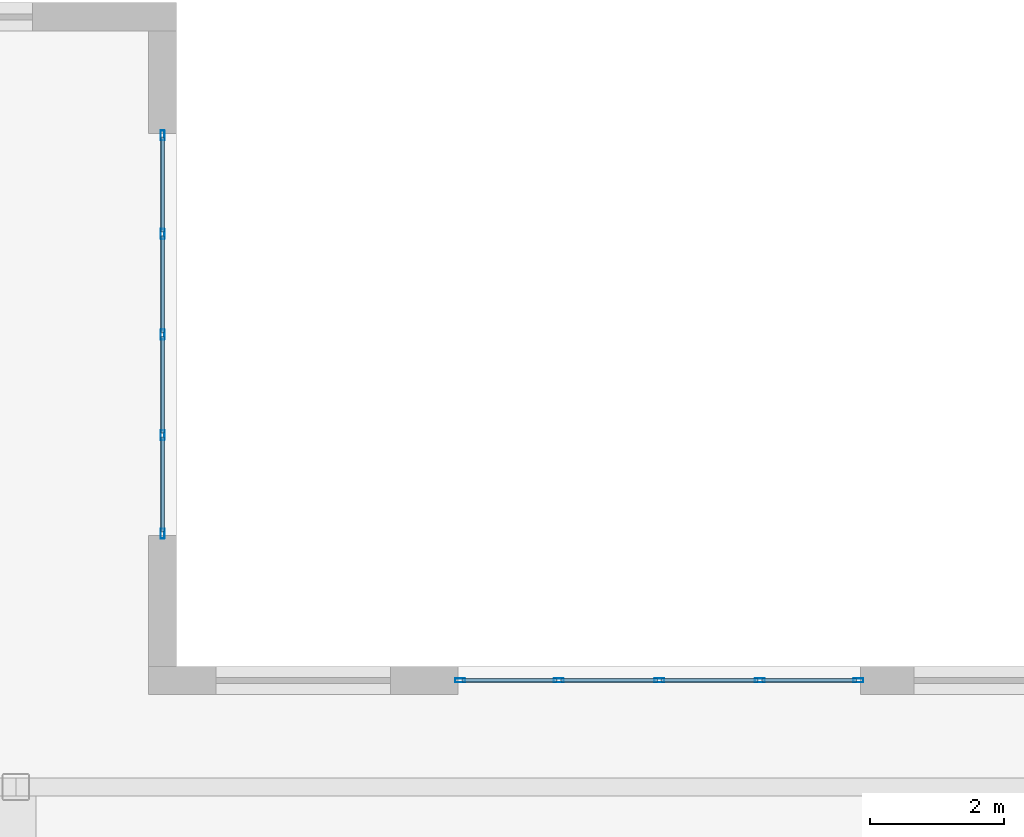
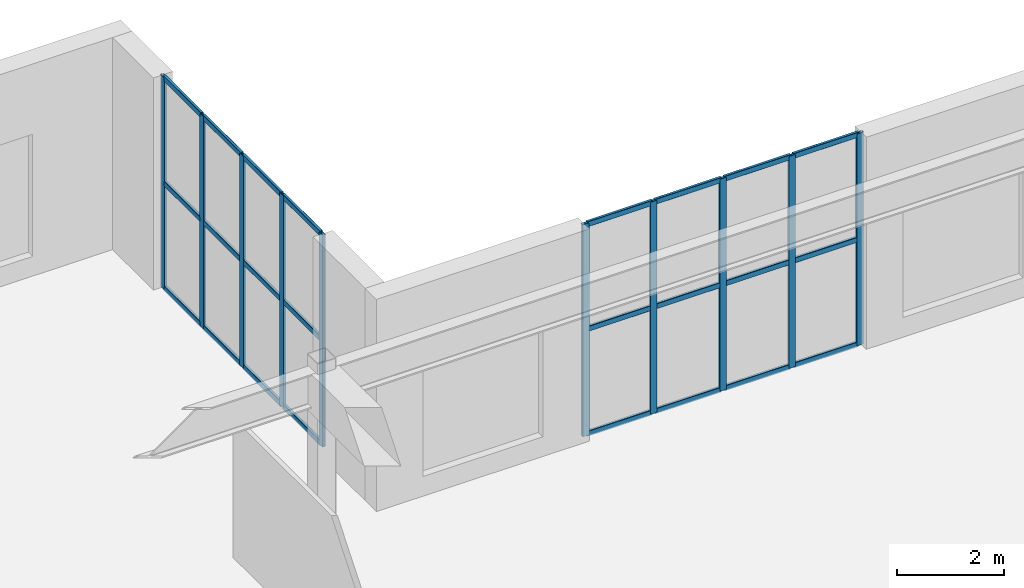
# One storey, part 14 of 23: 34 members, 2 elements without a shape of their own.
"""IFC4 building model written with IfcOpenShell, lengths in metres."""

from ifc_helpers import new_model, entity, si_unit, converted_unit, direction, frame, origin_with_axes, origin_2d_with_axis, place, context, subcontext, project, spatial, hollow_rectangle, extrude, material, material_profile, profile_set, type_object, element, aggregate, save


model = new_model("IFC4")

# Units and contexts
model_context = context("Model", 3, precision=1e-05, world=origin_with_axes(), true_north=direction((0.0, 1.0)))
body_context = subcontext(model_context, "Body", "Model", "MODEL_VIEW")
ifc_project = project(units=[si_unit("LENGTHUNIT", "METRE"), si_unit("AREAUNIT", "SQUARE_METRE"), si_unit("VOLUMEUNIT", "CUBIC_METRE"), converted_unit("PLANEANGLEUNIT", "DEGREE", entity("IfcPlaneAngleMeasure", 0.017453292519943295), si_unit("PLANEANGLEUNIT", "RADIAN"), dimensions=[0, 0, 0, 0, 0, 0, 0]), si_unit("MASSUNIT", "GRAM", prefix="KILO"), si_unit("THERMODYNAMICTEMPERATUREUNIT", "KELVIN")], contexts=[model_context])

# Site, building, storey
site_placement = place(None, origin_with_axes())
site = spatial("IfcSite", under=ifc_project, at=site_placement, CompositionType="ELEMENT")
building_placement = place(site_placement, origin_with_axes())
building = spatial("IfcBuilding", under=site, at=building_placement, Name="Varnlund Millrace Tower", CompositionType="ELEMENT")
storey_placement = place(building_placement, frame((0.0, 0.0, 5.7), z_axis=(0.0, 0.0, 1.0), x_axis=(1.0, 0.0, 0.0)))
storey = spatial("IfcBuildingStorey", under=building, at=storey_placement, Name="L01", CompositionType="ELEMENT", Elevation=5.7)

# Curtain wall, members
ifc_material_1 = material(Name="Thermally broken architectural bronze curtain wall", Category="aluminium")
curtain_wall_type = type_object("IfcCurtainWallType", Name="Type-CW-Sys2-Skyway", PredefinedType="NOTDEFINED", material=ifc_material_1)
curtain_wall_1_placement = place(storey_placement, frame((58.2, 39.39, 0.0), z_axis=(0.0, 0.0, 1.0), x_axis=(1.0, 0.0, 0.0)))
curtain_wall_1 = element("IfcCurtainWall", 1, at=curtain_wall_1_placement, inside=storey, type_object=curtain_wall_type, Name="Type-CW-Sys2-Skyway", PredefinedType="NOTDEFINED")
ifc_material_2 = material(Name="Architectural bronze aluminium alloy 6063-T6", Category="aluminium")
ifc_material_profile_1 = material_profile(ifc_material_2, hollow_rectangle(XDim=0.06, YDim=0.15, WallThickness=0.004, InnerFilletRadius=0.004, OuterFilletRadius=0.008, at=origin_2d_with_axis()), Name="Architectural bronze aluminium alloy 6063-T6")
ifc_profile_set_1 = profile_set([ifc_material_profile_1], Name="Architectural bronze aluminium alloy 6063-T6")
member_type_1 = type_object("IfcMemberType", Name="Type-CW-Mullion-60X150", PredefinedType="MULLION", material=ifc_profile_set_1)
member_1_placement = place(storey_placement, frame((58.23, 39.39, 0.0), z_axis=(0.0, 0.0, 1.0), x_axis=(0.0, 1.0, 0.0)))
member_1 = element("IfcMember", 2, at=member_1_placement, type_object=member_type_1, Name="CW-02 mullion 1", PredefinedType="MULLION", context=body_context, shape_type="SweptSolid", body=[
    extrude(hollow_rectangle(XDim=0.06, YDim=0.15, WallThickness=0.004, InnerFilletRadius=0.004, OuterFilletRadius=0.008, at=origin_2d_with_axis()), origin_with_axes(), (0.0, 0.0, 1.0), 4.86),
])
member_2_placement = place(storey_placement, frame((59.7, 39.39, 0.0), z_axis=(0.0, 0.0, 1.0), x_axis=(0.0, 1.0, 0.0)))
member_2 = element("IfcMember", 3, at=member_2_placement, type_object=member_type_1, Name="CW-02 mullion 2", PredefinedType="MULLION", context=body_context, shape_type="SweptSolid", body=[
    extrude(hollow_rectangle(XDim=0.06, YDim=0.15, WallThickness=0.004, InnerFilletRadius=0.004, OuterFilletRadius=0.008, at=origin_2d_with_axis()), origin_with_axes(), (0.0, 0.0, 1.0), 4.86),
])
member_3_placement = place(storey_placement, frame((61.2, 39.39, 0.0), z_axis=(0.0, 0.0, 1.0), x_axis=(0.0, 1.0, 0.0)))
member_3 = element("IfcMember", 4, at=member_3_placement, type_object=member_type_1, Name="CW-02 mullion 3", PredefinedType="MULLION", context=body_context, shape_type="SweptSolid", body=[
    extrude(hollow_rectangle(XDim=0.06, YDim=0.15, WallThickness=0.004, InnerFilletRadius=0.004, OuterFilletRadius=0.008, at=origin_2d_with_axis()), origin_with_axes(), (0.0, 0.0, 1.0), 4.86),
])
member_4_placement = place(storey_placement, frame((62.7, 39.39, 0.0), z_axis=(0.0, 0.0, 1.0), x_axis=(0.0, 1.0, 0.0)))
member_4 = element("IfcMember", 5, at=member_4_placement, type_object=member_type_1, Name="CW-02 mullion 4", PredefinedType="MULLION", context=body_context, shape_type="SweptSolid", body=[
    extrude(hollow_rectangle(XDim=0.06, YDim=0.15, WallThickness=0.004, InnerFilletRadius=0.004, OuterFilletRadius=0.008, at=origin_2d_with_axis()), origin_with_axes(), (0.0, 0.0, 1.0), 4.86),
])
member_5_placement = place(storey_placement, frame((64.17, 39.39, 0.0), z_axis=(0.0, 0.0, 1.0), x_axis=(0.0, 1.0, 0.0)))
member_5 = element("IfcMember", 6, at=member_5_placement, type_object=member_type_1, Name="CW-02 mullion 5", PredefinedType="MULLION", context=body_context, shape_type="SweptSolid", body=[
    extrude(hollow_rectangle(XDim=0.06, YDim=0.15, WallThickness=0.004, InnerFilletRadius=0.004, OuterFilletRadius=0.008, at=origin_2d_with_axis()), origin_with_axes(), (0.0, 0.0, 1.0), 4.86),
])

curtain_wall_2_placement = place(storey_placement, frame((53.79, 47.55, 0.0), z_axis=(0.0, 0.0, 1.0), x_axis=(1.0, 0.0, 0.0)))
curtain_wall_2 = element("IfcCurtainWall", 7, at=curtain_wall_2_placement, inside=storey, type_object=curtain_wall_type, Name="Type-CW-Sys2-Skyway", PredefinedType="NOTDEFINED")
member_6_placement = place(storey_placement, frame((53.79, 47.52, 0.0), z_axis=(0.0, 0.0, 1.0), x_axis=(1.0, 0.0, 0.0)))
member_6 = element("IfcMember", 8, at=member_6_placement, type_object=member_type_1, Name="CW-02 mullion 1", PredefinedType="MULLION", context=body_context, shape_type="SweptSolid", body=[
    extrude(hollow_rectangle(XDim=0.06, YDim=0.15, WallThickness=0.004, InnerFilletRadius=0.004, OuterFilletRadius=0.008, at=origin_2d_with_axis()), origin_with_axes(), (0.0, 0.0, 1.0), 4.86),
])
member_7_placement = place(storey_placement, frame((53.79, 46.05, 0.0), z_axis=(0.0, 0.0, 1.0), x_axis=(1.0, 0.0, 0.0)))
member_7 = element("IfcMember", 9, at=member_7_placement, type_object=member_type_1, Name="CW-02 mullion 2", PredefinedType="MULLION", context=body_context, shape_type="SweptSolid", body=[
    extrude(hollow_rectangle(XDim=0.06, YDim=0.15, WallThickness=0.004, InnerFilletRadius=0.004, OuterFilletRadius=0.008, at=origin_2d_with_axis()), origin_with_axes(), (0.0, 0.0, 1.0), 4.86),
])
member_8_placement = place(storey_placement, frame((53.79, 44.55, 0.0), z_axis=(0.0, 0.0, 1.0), x_axis=(1.0, 0.0, 0.0)))
member_8 = element("IfcMember", 10, at=member_8_placement, type_object=member_type_1, Name="CW-02 mullion 3", PredefinedType="MULLION", context=body_context, shape_type="SweptSolid", body=[
    extrude(hollow_rectangle(XDim=0.06, YDim=0.15, WallThickness=0.004, InnerFilletRadius=0.004, OuterFilletRadius=0.008, at=origin_2d_with_axis()), origin_with_axes(), (0.0, 0.0, 1.0), 4.86),
])
member_9_placement = place(storey_placement, frame((53.79, 43.05, 0.0), z_axis=(0.0, 0.0, 1.0), x_axis=(1.0, 0.0, 0.0)))
member_9 = element("IfcMember", 11, at=member_9_placement, type_object=member_type_1, Name="CW-02 mullion 4", PredefinedType="MULLION", context=body_context, shape_type="SweptSolid", body=[
    extrude(hollow_rectangle(XDim=0.06, YDim=0.15, WallThickness=0.004, InnerFilletRadius=0.004, OuterFilletRadius=0.008, at=origin_2d_with_axis()), origin_with_axes(), (0.0, 0.0, 1.0), 4.86),
])
member_10_placement = place(storey_placement, frame((53.79, 41.58, 0.0), z_axis=(0.0, 0.0, 1.0), x_axis=(1.0, 0.0, 0.0)))
member_10 = element("IfcMember", 12, at=member_10_placement, type_object=member_type_1, Name="CW-02 mullion 5", PredefinedType="MULLION", context=body_context, shape_type="SweptSolid", body=[
    extrude(hollow_rectangle(XDim=0.06, YDim=0.15, WallThickness=0.004, InnerFilletRadius=0.004, OuterFilletRadius=0.008, at=origin_2d_with_axis()), origin_with_axes(), (0.0, 0.0, 1.0), 4.86),
])

# Member
ifc_material_profile_2 = material_profile(ifc_material_2, hollow_rectangle(XDim=0.06, YDim=0.12, WallThickness=0.004, InnerFilletRadius=0.004, OuterFilletRadius=0.008, at=origin_2d_with_axis()), Name="Architectural bronze aluminium alloy 6063-T6")
ifc_profile_set_2 = profile_set([ifc_material_profile_2], Name="Architectural bronze aluminium alloy 6063-T6")
member_type_2 = type_object("IfcMemberType", Name="Type-CW-Transom-60X120", PredefinedType="USERDEFINED", material=ifc_profile_set_2)
member_11_placement = place(storey_placement, frame((58.26, 39.39, 0.03), z_axis=(1.0, 0.0, 0.0), x_axis=(0.0, 1.0, 0.0)))
member_11 = element("IfcMember", 13, at=member_11_placement, type_object=member_type_2, Name="CW-02 transom 1.1", ObjectType="TRANSOM", PredefinedType="USERDEFINED", context=body_context, shape_type="SweptSolid", body=[
    extrude(hollow_rectangle(XDim=0.06, YDim=0.12, WallThickness=0.004, InnerFilletRadius=0.004, OuterFilletRadius=0.008, at=origin_2d_with_axis()), origin_with_axes(), (0.0, 0.0, 1.0), 1.41),
])

member_12_placement = place(storey_placement, frame((58.26, 39.39, 2.43), z_axis=(1.0, 0.0, 0.0), x_axis=(0.0, 1.0, 0.0)))
member_12 = element("IfcMember", 14, at=member_12_placement, type_object=member_type_2, Name="CW-02 transom 1.2", ObjectType="TRANSOM", PredefinedType="USERDEFINED", context=body_context, shape_type="SweptSolid", body=[
    extrude(hollow_rectangle(XDim=0.06, YDim=0.12, WallThickness=0.004, InnerFilletRadius=0.004, OuterFilletRadius=0.008, at=origin_2d_with_axis()), origin_with_axes(), (0.0, 0.0, 1.0), 1.41),
])

member_13_placement = place(storey_placement, frame((58.26, 39.39, 4.83), z_axis=(1.0, 0.0, 0.0), x_axis=(0.0, 1.0, 0.0)))
member_13 = element("IfcMember", 15, at=member_13_placement, type_object=member_type_2, Name="CW-02 transom 1.3", ObjectType="TRANSOM", PredefinedType="USERDEFINED", context=body_context, shape_type="SweptSolid", body=[
    extrude(hollow_rectangle(XDim=0.06, YDim=0.12, WallThickness=0.004, InnerFilletRadius=0.004, OuterFilletRadius=0.008, at=origin_2d_with_axis()), origin_with_axes(), (0.0, 0.0, 1.0), 1.41),
])

member_14_placement = place(storey_placement, frame((59.73, 39.39, 0.03), z_axis=(1.0, 0.0, 0.0), x_axis=(0.0, 1.0, 0.0)))
member_14 = element("IfcMember", 16, at=member_14_placement, type_object=member_type_2, Name="CW-02 transom 2.1", ObjectType="TRANSOM", PredefinedType="USERDEFINED", context=body_context, shape_type="SweptSolid", body=[
    extrude(hollow_rectangle(XDim=0.06, YDim=0.12, WallThickness=0.004, InnerFilletRadius=0.004, OuterFilletRadius=0.008, at=origin_2d_with_axis()), origin_with_axes(), (0.0, 0.0, 1.0), 1.44),
])

member_15_placement = place(storey_placement, frame((59.73, 39.39, 2.43), z_axis=(1.0, 0.0, 0.0), x_axis=(0.0, 1.0, 0.0)))
member_15 = element("IfcMember", 17, at=member_15_placement, type_object=member_type_2, Name="CW-02 transom 2.2", ObjectType="TRANSOM", PredefinedType="USERDEFINED", context=body_context, shape_type="SweptSolid", body=[
    extrude(hollow_rectangle(XDim=0.06, YDim=0.12, WallThickness=0.004, InnerFilletRadius=0.004, OuterFilletRadius=0.008, at=origin_2d_with_axis()), origin_with_axes(), (0.0, 0.0, 1.0), 1.44),
])

member_16_placement = place(storey_placement, frame((59.73, 39.39, 4.83), z_axis=(1.0, 0.0, 0.0), x_axis=(0.0, 1.0, 0.0)))
member_16 = element("IfcMember", 18, at=member_16_placement, type_object=member_type_2, Name="CW-02 transom 2.3", ObjectType="TRANSOM", PredefinedType="USERDEFINED", context=body_context, shape_type="SweptSolid", body=[
    extrude(hollow_rectangle(XDim=0.06, YDim=0.12, WallThickness=0.004, InnerFilletRadius=0.004, OuterFilletRadius=0.008, at=origin_2d_with_axis()), origin_with_axes(), (0.0, 0.0, 1.0), 1.44),
])

member_17_placement = place(storey_placement, frame((61.23, 39.39, 0.03), z_axis=(1.0, 0.0, 0.0), x_axis=(0.0, 1.0, 0.0)))
member_17 = element("IfcMember", 19, at=member_17_placement, type_object=member_type_2, Name="CW-02 transom 3.1", ObjectType="TRANSOM", PredefinedType="USERDEFINED", context=body_context, shape_type="SweptSolid", body=[
    extrude(hollow_rectangle(XDim=0.06, YDim=0.12, WallThickness=0.004, InnerFilletRadius=0.004, OuterFilletRadius=0.008, at=origin_2d_with_axis()), origin_with_axes(), (0.0, 0.0, 1.0), 1.44),
])

member_18_placement = place(storey_placement, frame((61.23, 39.39, 2.43), z_axis=(1.0, 0.0, 0.0), x_axis=(0.0, 1.0, 0.0)))
member_18 = element("IfcMember", 20, at=member_18_placement, type_object=member_type_2, Name="CW-02 transom 3.2", ObjectType="TRANSOM", PredefinedType="USERDEFINED", context=body_context, shape_type="SweptSolid", body=[
    extrude(hollow_rectangle(XDim=0.06, YDim=0.12, WallThickness=0.004, InnerFilletRadius=0.004, OuterFilletRadius=0.008, at=origin_2d_with_axis()), origin_with_axes(), (0.0, 0.0, 1.0), 1.44),
])

member_19_placement = place(storey_placement, frame((61.23, 39.39, 4.83), z_axis=(1.0, 0.0, 0.0), x_axis=(0.0, 1.0, 0.0)))
member_19 = element("IfcMember", 21, at=member_19_placement, type_object=member_type_2, Name="CW-02 transom 3.3", ObjectType="TRANSOM", PredefinedType="USERDEFINED", context=body_context, shape_type="SweptSolid", body=[
    extrude(hollow_rectangle(XDim=0.06, YDim=0.12, WallThickness=0.004, InnerFilletRadius=0.004, OuterFilletRadius=0.008, at=origin_2d_with_axis()), origin_with_axes(), (0.0, 0.0, 1.0), 1.44),
])

member_20_placement = place(storey_placement, frame((62.73, 39.39, 0.03), z_axis=(1.0, 0.0, 0.0), x_axis=(0.0, 1.0, 0.0)))
member_20 = element("IfcMember", 22, at=member_20_placement, type_object=member_type_2, Name="CW-02 transom 4.1", ObjectType="TRANSOM", PredefinedType="USERDEFINED", context=body_context, shape_type="SweptSolid", body=[
    extrude(hollow_rectangle(XDim=0.06, YDim=0.12, WallThickness=0.004, InnerFilletRadius=0.004, OuterFilletRadius=0.008, at=origin_2d_with_axis()), origin_with_axes(), (0.0, 0.0, 1.0), 1.41),
])

member_21_placement = place(storey_placement, frame((62.73, 39.39, 2.43), z_axis=(1.0, 0.0, 0.0), x_axis=(0.0, 1.0, 0.0)))
member_21 = element("IfcMember", 23, at=member_21_placement, type_object=member_type_2, Name="CW-02 transom 4.2", ObjectType="TRANSOM", PredefinedType="USERDEFINED", context=body_context, shape_type="SweptSolid", body=[
    extrude(hollow_rectangle(XDim=0.06, YDim=0.12, WallThickness=0.004, InnerFilletRadius=0.004, OuterFilletRadius=0.008, at=origin_2d_with_axis()), origin_with_axes(), (0.0, 0.0, 1.0), 1.41),
])

member_22_placement = place(storey_placement, frame((62.73, 39.39, 4.83), z_axis=(1.0, 0.0, 0.0), x_axis=(0.0, 1.0, 0.0)))
member_22 = element("IfcMember", 24, at=member_22_placement, type_object=member_type_2, Name="CW-02 transom 4.3", ObjectType="TRANSOM", PredefinedType="USERDEFINED", context=body_context, shape_type="SweptSolid", body=[
    extrude(hollow_rectangle(XDim=0.06, YDim=0.12, WallThickness=0.004, InnerFilletRadius=0.004, OuterFilletRadius=0.008, at=origin_2d_with_axis()), origin_with_axes(), (0.0, 0.0, 1.0), 1.41),
])

aggregate(curtain_wall_1, [member_1, member_2, member_3, member_4, member_5, member_11, member_12, member_13, member_14, member_15, member_16, member_17, member_18, member_19, member_20, member_21, member_22])

member_23_placement = place(storey_placement, frame((53.79, 47.49, 0.03), z_axis=(0.0, -1.0, 0.0), x_axis=(1.0, 0.0, 0.0)))
member_23 = element("IfcMember", 25, at=member_23_placement, type_object=member_type_2, Name="CW-02 transom 1.1", ObjectType="TRANSOM", PredefinedType="USERDEFINED", context=body_context, shape_type="SweptSolid", body=[
    extrude(hollow_rectangle(XDim=0.06, YDim=0.12, WallThickness=0.004, InnerFilletRadius=0.004, OuterFilletRadius=0.008, at=origin_2d_with_axis()), origin_with_axes(), (0.0, 0.0, 1.0), 1.41),
])

member_24_placement = place(storey_placement, frame((53.79, 47.49, 2.43), z_axis=(0.0, -1.0, 0.0), x_axis=(1.0, 0.0, 0.0)))
member_24 = element("IfcMember", 26, at=member_24_placement, type_object=member_type_2, Name="CW-02 transom 1.2", ObjectType="TRANSOM", PredefinedType="USERDEFINED", context=body_context, shape_type="SweptSolid", body=[
    extrude(hollow_rectangle(XDim=0.06, YDim=0.12, WallThickness=0.004, InnerFilletRadius=0.004, OuterFilletRadius=0.008, at=origin_2d_with_axis()), origin_with_axes(), (0.0, 0.0, 1.0), 1.41),
])

member_25_placement = place(storey_placement, frame((53.79, 47.49, 4.83), z_axis=(0.0, -1.0, 0.0), x_axis=(1.0, 0.0, 0.0)))
member_25 = element("IfcMember", 27, at=member_25_placement, type_object=member_type_2, Name="CW-02 transom 1.3", ObjectType="TRANSOM", PredefinedType="USERDEFINED", context=body_context, shape_type="SweptSolid", body=[
    extrude(hollow_rectangle(XDim=0.06, YDim=0.12, WallThickness=0.004, InnerFilletRadius=0.004, OuterFilletRadius=0.008, at=origin_2d_with_axis()), origin_with_axes(), (0.0, 0.0, 1.0), 1.41),
])

member_26_placement = place(storey_placement, frame((53.79, 46.02, 0.03), z_axis=(0.0, -1.0, 0.0), x_axis=(1.0, 0.0, 0.0)))
member_26 = element("IfcMember", 28, at=member_26_placement, type_object=member_type_2, Name="CW-02 transom 2.1", ObjectType="TRANSOM", PredefinedType="USERDEFINED", context=body_context, shape_type="SweptSolid", body=[
    extrude(hollow_rectangle(XDim=0.06, YDim=0.12, WallThickness=0.004, InnerFilletRadius=0.004, OuterFilletRadius=0.008, at=origin_2d_with_axis()), origin_with_axes(), (0.0, 0.0, 1.0), 1.44),
])

member_27_placement = place(storey_placement, frame((53.79, 46.02, 2.43), z_axis=(0.0, -1.0, 0.0), x_axis=(1.0, 0.0, 0.0)))
member_27 = element("IfcMember", 29, at=member_27_placement, type_object=member_type_2, Name="CW-02 transom 2.2", ObjectType="TRANSOM", PredefinedType="USERDEFINED", context=body_context, shape_type="SweptSolid", body=[
    extrude(hollow_rectangle(XDim=0.06, YDim=0.12, WallThickness=0.004, InnerFilletRadius=0.004, OuterFilletRadius=0.008, at=origin_2d_with_axis()), origin_with_axes(), (0.0, 0.0, 1.0), 1.44),
])

member_28_placement = place(storey_placement, frame((53.79, 46.02, 4.83), z_axis=(0.0, -1.0, 0.0), x_axis=(1.0, 0.0, 0.0)))
member_28 = element("IfcMember", 30, at=member_28_placement, type_object=member_type_2, Name="CW-02 transom 2.3", ObjectType="TRANSOM", PredefinedType="USERDEFINED", context=body_context, shape_type="SweptSolid", body=[
    extrude(hollow_rectangle(XDim=0.06, YDim=0.12, WallThickness=0.004, InnerFilletRadius=0.004, OuterFilletRadius=0.008, at=origin_2d_with_axis()), origin_with_axes(), (0.0, 0.0, 1.0), 1.44),
])

member_29_placement = place(storey_placement, frame((53.79, 44.52, 0.03), z_axis=(0.0, -1.0, 0.0), x_axis=(1.0, 0.0, 0.0)))
member_29 = element("IfcMember", 31, at=member_29_placement, type_object=member_type_2, Name="CW-02 transom 3.1", ObjectType="TRANSOM", PredefinedType="USERDEFINED", context=body_context, shape_type="SweptSolid", body=[
    extrude(hollow_rectangle(XDim=0.06, YDim=0.12, WallThickness=0.004, InnerFilletRadius=0.004, OuterFilletRadius=0.008, at=origin_2d_with_axis()), origin_with_axes(), (0.0, 0.0, 1.0), 1.44),
])

member_30_placement = place(storey_placement, frame((53.79, 44.52, 2.43), z_axis=(0.0, -1.0, 0.0), x_axis=(1.0, 0.0, 0.0)))
member_30 = element("IfcMember", 32, at=member_30_placement, type_object=member_type_2, Name="CW-02 transom 3.2", ObjectType="TRANSOM", PredefinedType="USERDEFINED", context=body_context, shape_type="SweptSolid", body=[
    extrude(hollow_rectangle(XDim=0.06, YDim=0.12, WallThickness=0.004, InnerFilletRadius=0.004, OuterFilletRadius=0.008, at=origin_2d_with_axis()), origin_with_axes(), (0.0, 0.0, 1.0), 1.44),
])

member_31_placement = place(storey_placement, frame((53.79, 44.52, 4.83), z_axis=(0.0, -1.0, 0.0), x_axis=(1.0, 0.0, 0.0)))
member_31 = element("IfcMember", 33, at=member_31_placement, type_object=member_type_2, Name="CW-02 transom 3.3", ObjectType="TRANSOM", PredefinedType="USERDEFINED", context=body_context, shape_type="SweptSolid", body=[
    extrude(hollow_rectangle(XDim=0.06, YDim=0.12, WallThickness=0.004, InnerFilletRadius=0.004, OuterFilletRadius=0.008, at=origin_2d_with_axis()), origin_with_axes(), (0.0, 0.0, 1.0), 1.44),
])

member_32_placement = place(storey_placement, frame((53.79, 43.02, 0.03), z_axis=(0.0, -1.0, 0.0), x_axis=(1.0, 0.0, 0.0)))
member_32 = element("IfcMember", 34, at=member_32_placement, type_object=member_type_2, Name="CW-02 transom 4.1", ObjectType="TRANSOM", PredefinedType="USERDEFINED", context=body_context, shape_type="SweptSolid", body=[
    extrude(hollow_rectangle(XDim=0.06, YDim=0.12, WallThickness=0.004, InnerFilletRadius=0.004, OuterFilletRadius=0.008, at=origin_2d_with_axis()), origin_with_axes(), (0.0, 0.0, 1.0), 1.41),
])

member_33_placement = place(storey_placement, frame((53.79, 43.02, 2.43), z_axis=(0.0, -1.0, 0.0), x_axis=(1.0, 0.0, 0.0)))
member_33 = element("IfcMember", 35, at=member_33_placement, type_object=member_type_2, Name="CW-02 transom 4.2", ObjectType="TRANSOM", PredefinedType="USERDEFINED", context=body_context, shape_type="SweptSolid", body=[
    extrude(hollow_rectangle(XDim=0.06, YDim=0.12, WallThickness=0.004, InnerFilletRadius=0.004, OuterFilletRadius=0.008, at=origin_2d_with_axis()), origin_with_axes(), (0.0, 0.0, 1.0), 1.41),
])

member_34_placement = place(storey_placement, frame((53.79, 43.02, 4.83), z_axis=(0.0, -1.0, 0.0), x_axis=(1.0, 0.0, 0.0)))
member_34 = element("IfcMember", 36, at=member_34_placement, type_object=member_type_2, Name="CW-02 transom 4.3", ObjectType="TRANSOM", PredefinedType="USERDEFINED", context=body_context, shape_type="SweptSolid", body=[
    extrude(hollow_rectangle(XDim=0.06, YDim=0.12, WallThickness=0.004, InnerFilletRadius=0.004, OuterFilletRadius=0.008, at=origin_2d_with_axis()), origin_with_axes(), (0.0, 0.0, 1.0), 1.41),
])

aggregate(curtain_wall_2, [member_6, member_7, member_8, member_9, member_10, member_23, member_24, member_25, member_26, member_27, member_28, member_29, member_30, member_31, member_32, member_33, member_34])

save(model, "model.ifc")
